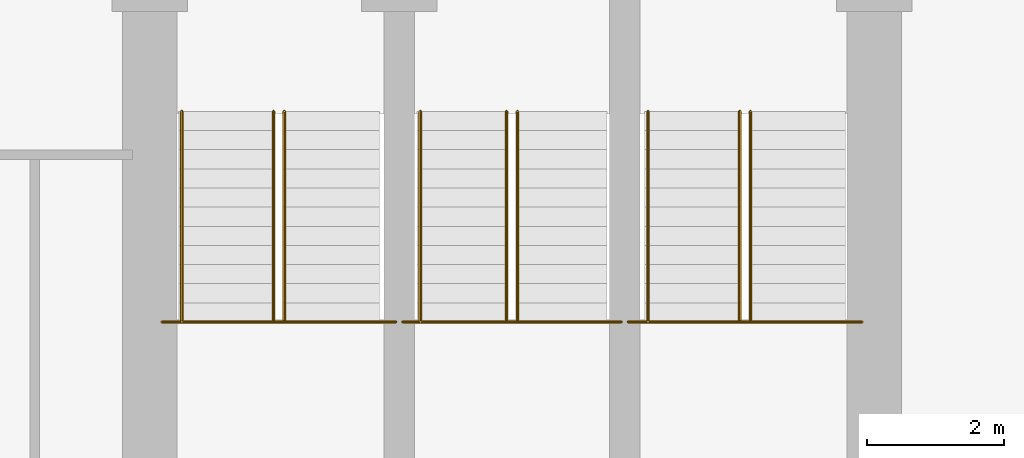
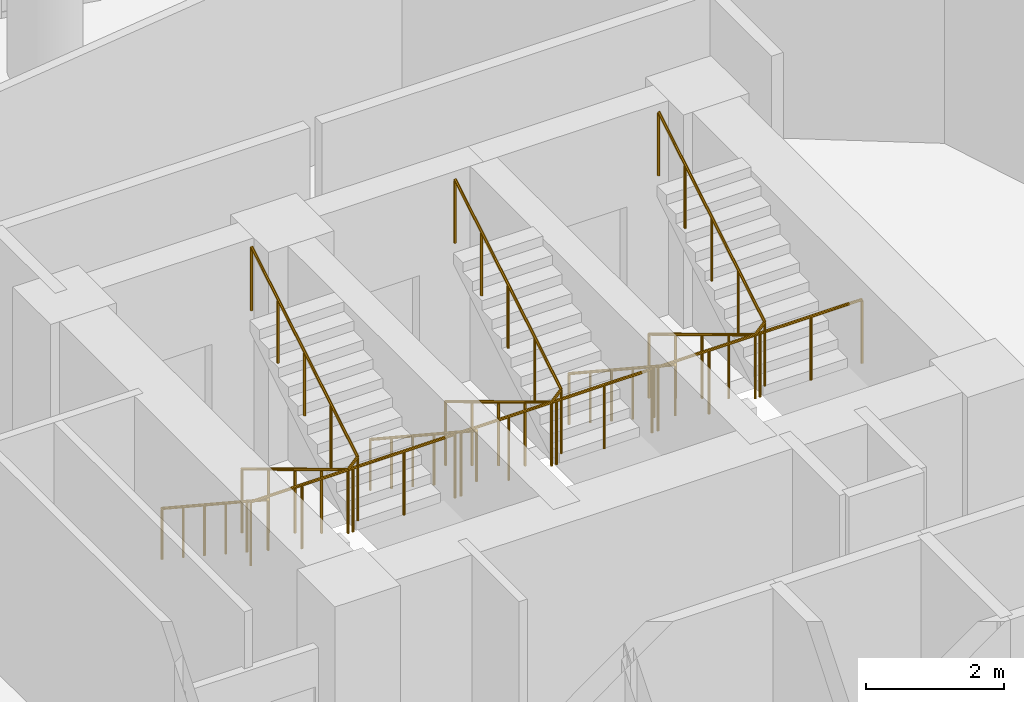
# One storey, part 24 of 24: 9 railings.
"""IFC4 building model written with IfcOpenShell, lengths in metres."""

import ifcopenshell
import ifcopenshell.guid

model = None  # the IFC model being written
_history = None  # IfcOwnerHistory: only IFC2X3 demands one
_inside = {}  # id of a spatial element -> (the spatial element, [elements in it])
_under = {}  # id of a project, library or spatial element -> (it, [spatial elements below it])
_declared = {}  # id of a project -> (the project, [libraries it declares])
_typed = {}  # id of a type object -> (the type object, [elements of that type])
_made_of = {}  # id of a material, layer set ... -> (it, [elements and type objects made of it])


def new_model(schema):
    """Start an empty IFC model of exactly this schema.

    Asked for "IFC4X3", IfcOpenShell would pick the latest addendum, in which some entities
    have other attributes; the version numbers below select the first issue.
    IFC2X3 requires an IfcOwnerHistory on every rooted entity: one is made here for all.
    """
    global model, _history
    if schema == "IFC4X3":
        model = ifcopenshell.file(schema_version=(4, 3, 0, 0))
    else:
        model = ifcopenshell.file(schema=schema)
    _inside.clear()
    _under.clear()
    _declared.clear()
    _typed.clear()
    _made_of.clear()
    _history = None
    if model.schema == "IFC2X3":
        org = make("IfcOrganization", Name="unknown")
        user = make(
            "IfcPersonAndOrganization",
            ThePerson=make("IfcPerson", FamilyName="unknown"),
            TheOrganization=org,
        )
        app = make(
            "IfcApplication",
            ApplicationDeveloper=org,
            Version="unknown",
            ApplicationFullName="unknown",
            ApplicationIdentifier="unknown",
        )
        _history = make(
            "IfcOwnerHistory",
            OwningUser=user,
            OwningApplication=app,
            ChangeAction="ADDED",
            CreationDate=0,
        )
    return model


def make(cls, **values):
    """One entity of the class cls with the attributes given. An attribute that is None is left unset."""
    return model.create_entity(
        cls, **{name: value for name, value in values.items() if value is not None}
    )


def rooted(cls, **values):
    """An entity with a GlobalId (a new one), such as an element, a storey or a relation."""
    return make(cls, GlobalId=ifcopenshell.guid.new(), OwnerHistory=_history, **values)


def si_unit(unit_type, name, prefix=None):
    """IfcSIUnit, for example si_unit("LENGTHUNIT", "METRE", prefix="MILLI")."""
    return make("IfcSIUnit", UnitType=unit_type, Prefix=prefix, Name=name)


def assignment(units):
    """IfcUnitAssignment: the units of a project."""
    return None if units is None else make("IfcUnitAssignment", Units=units)


def point(xyz):
    """IfcCartesianPoint."""
    return None if xyz is None else make("IfcCartesianPoint", Coordinates=xyz)


def direction(xyz):
    """IfcDirection."""
    return None if xyz is None else make("IfcDirection", DirectionRatios=xyz)


def frame(location, z_axis=None, x_axis=None):
    """IfcAxis2Placement3D, a coordinate frame: its origin and axes. An axis left out is left unset."""
    return make(
        "IfcAxis2Placement3D",
        Location=point(location),
        Axis=direction(z_axis),
        RefDirection=direction(x_axis),
    )


def origin():
    """The frame at (0, 0, 0) with its axes left unset."""
    return frame((0.0, 0.0, 0.0))


def place(relative_to, where):
    """IfcLocalPlacement: puts the frame where relative to a parent placement (None: the world)."""
    return make(
        "IfcLocalPlacement", PlacementRelTo=relative_to, RelativePlacement=where
    )


def context(
    kind, dimensions, precision=None, world=None, true_north=None, identifier=None
):
    """IfcGeometricRepresentationContext, for example the 3D "Model" context."""
    return make(
        "IfcGeometricRepresentationContext",
        ContextIdentifier=identifier,
        ContextType=kind,
        CoordinateSpaceDimension=dimensions,
        Precision=precision,
        WorldCoordinateSystem=world,
        TrueNorth=true_north,
    )


def subcontext(parent, identifier, kind, view, scale=None):
    """IfcGeometricRepresentationSubContext, for example "Body" below "Model"."""
    return make(
        "IfcGeometricRepresentationSubContext",
        ContextIdentifier=identifier,
        ContextType=kind,
        ParentContext=parent,
        TargetScale=scale,
        TargetView=view,
    )


def project(units=None, contexts=None):
    """IfcProject with its units and contexts."""
    return rooted(
        "IfcProject",
        Name="project",
        RepresentationContexts=contexts,
        UnitsInContext=assignment(units),
    )


def spatial(cls, under=None, at=None, **own):
    """A site, building, storey or space (cls), placed at a placement, below another one or the project."""
    s = rooted(cls, ObjectPlacement=at, **own)
    if under is not None:
        _under.setdefault(under.id(), (under, []))[1].append(s)
    return s


def polyline(points):
    """IfcPolyline through the points."""
    return make("IfcPolyline", Points=[point(p) for p in points])


def outline(outer, holes=None, kind="AREA"):
    """IfcArbitraryClosedProfileDef: a profile drawn as a closed curve; with holes, ...WithVoids."""
    if holes is None:
        return make("IfcArbitraryClosedProfileDef", ProfileType=kind, OuterCurve=outer)
    return make(
        "IfcArbitraryProfileDefWithVoids",
        ProfileType=kind,
        OuterCurve=outer,
        InnerCurves=holes,
    )


def extrude(swept, where, along, depth):
    """IfcExtrudedAreaSolid: the profile swept, set in the frame where, extruded along a direction by depth."""
    return make(
        "IfcExtrudedAreaSolid",
        SweptArea=swept,
        Position=where,
        ExtrudedDirection=direction(along),
        Depth=depth,
    )


def shape(context_of_items, identifier, shape_type, items):
    """IfcShapeRepresentation: the items that make up one representation, for example the "Body"."""
    return make(
        "IfcShapeRepresentation",
        ContextOfItems=context_of_items,
        RepresentationIdentifier=identifier,
        RepresentationType=shape_type,
        Items=items,
    )


def material(Name=None, Category=None):
    """IfcMaterial."""
    return make("IfcMaterial", Name=Name, Category=Category)


def made_of(thing, what):
    """Note that an element or type object is made of a material, layer set ...; save() writes the relation."""
    if what is not None:
        _made_of.setdefault(what.id(), (what, []))[1].append(thing)
    return thing


def type_object(cls, material=None, **own):
    """A type object (cls), such as IfcWallType, which elements share."""
    return made_of(rooted(cls, **own), material)


def element(
    cls,
    number,
    at=None,
    inside=None,
    cuts=None,
    type_object=None,
    material=None,
    context=None,
    identifier="Body",
    shape_type=None,
    held_by="IfcProductDefinitionShape",
    body=None,
    shapes=None,
    **own,
):
    """One element of the class cls, such as IfcWall. Its Tag is "e" and its number.

    at: its placement. inside: the storey or other place that contains it. cuts: it is an
    opening in that element (IfcRelVoidsElement). A single representation is given by context,
    identifier, shape_type and body (its items); several are given by shapes. held_by: the class
    of the entity that holds the representations. save() writes the other relations.
    """
    e = rooted(cls, Tag="e%d" % number, ObjectPlacement=at, **own)
    if body is not None:
        shapes = [shape(context, identifier, shape_type, body)]
    if shapes is not None:
        e.Representation = make(held_by, Representations=shapes)
    if inside is not None:
        _inside.setdefault(inside.id(), (inside, []))[1].append(e)
    if cuts is not None:
        rooted(
            "IfcRelVoidsElement", RelatingBuildingElement=cuts, RelatedOpeningElement=e
        )
    if type_object is not None:
        _typed.setdefault(type_object.id(), (type_object, []))[1].append(e)
    return made_of(e, material)


def aggregate(whole, parts):
    """IfcRelAggregates: a whole, such as a stair, and the parts it consists of."""
    return rooted("IfcRelAggregates", RelatingObject=whole, RelatedObjects=parts)


def save(model, path):
    """Write the relations noted so far, then the file.

    IfcRelAggregates (storeys below a building ...), IfcRelContainedInSpatialStructure (elements
    in a storey), IfcRelDefinesByType, IfcRelAssociatesMaterial and IfcRelDeclares: one each for
    every whole, place, type object, material and project.
    """
    for whole, parts in _under.values():
        aggregate(whole, parts)
    for where, things in _inside.values():
        rooted(
            "IfcRelContainedInSpatialStructure",
            RelatedElements=things,
            RelatingStructure=where,
        )
    for kind, things in _typed.values():
        rooted("IfcRelDefinesByType", RelatedObjects=things, RelatingType=kind)
    for what, things in _made_of.values():
        rooted("IfcRelAssociatesMaterial", RelatedObjects=things, RelatingMaterial=what)
    for by, libraries in _declared.values():
        rooted("IfcRelDeclares", RelatingContext=by, RelatedDefinitions=libraries)
    model.write(path)


model = new_model("IFC4")

# Units and contexts
model_context = context("Model", 3, precision=1e-05, world=origin(), true_north=direction((0.0, 1.0)))
body_context = subcontext(model_context, "Body", "Model", "MODEL_VIEW")
ifc_project = project(units=[si_unit("LENGTHUNIT", "METRE"), si_unit("AREAUNIT", "SQUARE_METRE"), si_unit("VOLUMEUNIT", "CUBIC_METRE"), si_unit("PLANEANGLEUNIT", "RADIAN"), si_unit("MASSUNIT", "GRAM", prefix="KILO")], contexts=[model_context])

# Site, building, storey
site_placement = place(None, origin())
site = spatial("IfcSite", under=ifc_project, at=site_placement, CompositionType="ELEMENT")
building_placement = place(site_placement, origin())
building = spatial("IfcBuilding", under=site, at=building_placement, Name="Nuhasar Tower", CompositionType="ELEMENT")
storey_placement = place(building_placement, frame((0.0, 0.0, 41.25)))
storey = spatial("IfcBuildingStorey", under=building, at=storey_placement, Name="L09", CompositionType="ELEMENT", Elevation=41.25)

# Railings
ifc_material_1 = material(Name="Steel S355", Category="steel")
railing_type_1 = type_object("IfcRailingType", Name="RLG-STAIR-GUARD-1150", PredefinedType="GUARDRAIL", material=ifc_material_1)
railing_1_placement = place(storey_placement, frame((33.8798828125, 32.205078125, 2.02490234375)))
element("IfcRailing", 1, at=railing_1_placement, inside=storey, type_object=railing_type_1, Name="L09 Stair ST-01 Guardrail LND", PredefinedType="GUARDRAIL", context=body_context, shape_type="SweptSolid", body=[
    extrude(outline(polyline([(0.024169921875, 0.0), (0.01708984375, 0.01708984375), (0.0, 0.024169921875), (-0.01708984375, 0.01708984375), (-0.024169921875, 0.0), (-0.01708984375, -0.01708984375), (0.0, -0.024169921875), (0.01708984375, -0.01708984375), (0.024169921875, 0.0)])), frame((0.0, 0.0, 1.1259765625), z_axis=(1.0, 0.0, 0.0), x_axis=(0.0, 1.0, 0.0)), (0.0, 0.0, 1.0), 3.420166015625),
    extrude(outline(polyline([(0.02099609375, 0.0), (0.014892578125, 0.014892578125), (0.0, 0.02099609375), (-0.014892578125, 0.014892578125), (-0.02099609375, 0.0), (-0.014892578125, -0.014892578125), (0.0, -0.02099609375), (0.014892578125, -0.014892578125), (0.02099609375, 0.0)])), origin(), (0.0, 0.0, 1.0), 1.101806640625),
    extrude(outline(polyline([(0.02099609375, 0.0), (0.014892578125, 0.014892578125), (0.0, 0.02099609375), (-0.014892578125, 0.014892578125), (-0.02099609375, 0.0), (-0.014892578125, -0.014892578125), (0.0, -0.02099609375), (0.014892578125, -0.014892578125), (0.02099609375, 0.0)])), frame((0.85498046875, 0.0, 0.0)), (0.0, 0.0, 1.0), 1.101806640625),
    extrude(outline(polyline([(0.02099609375, 0.0), (0.014892578125, 0.014892578125), (0.0, 0.02099609375), (-0.014892578125, 0.014892578125), (-0.02099609375, 0.0), (-0.014892578125, -0.014892578125), (0.0, -0.02099609375), (0.014892578125, -0.014892578125), (0.02099609375, 0.0)])), frame((1.7099609375, 0.0, 0.0)), (0.0, 0.0, 1.0), 1.101806640625),
    extrude(outline(polyline([(0.02099609375, 0.0), (0.014892578125, 0.014892578125), (0.0, 0.02099609375), (-0.014892578125, 0.014892578125), (-0.02099609375, 0.0), (-0.014892578125, -0.014892578125), (0.0, -0.02099609375), (0.014892578125, -0.014892578125), (0.02099609375, 0.0)])), frame((2.565185546875, 0.0, 0.0)), (0.0, 0.0, 1.0), 1.101806640625),
    extrude(outline(polyline([(0.02099609375, 0.0), (0.014892578125, 0.014892578125), (0.0, 0.02099609375), (-0.014892578125, 0.014892578125), (-0.02099609375, 0.0), (-0.014892578125, -0.014892578125), (0.0, -0.02099609375), (0.014892578125, -0.014892578125), (0.02099609375, 0.0)])), frame((3.420166015625, 0.0, 0.0)), (0.0, 0.0, 1.0), 1.101806640625),
])
railing_2_placement = place(storey_placement, frame((35.510009765625, 35.284912109375, 0.1689453125)))
element("IfcRailing", 2, at=railing_2_placement, inside=storey, type_object=railing_type_1, Name="L09 Stair ST-01 Guardrail SLT", PredefinedType="GUARDRAIL", context=body_context, shape_type="SweptSolid", body=[
    extrude(outline(polyline([(0.024169921875, 0.0), (0.01708984375, 0.01708984375), (0.0, 0.024169921875), (-0.01708984375, 0.01708984375), (-0.024169921875, 0.0), (-0.01708984375, -0.01708984375), (0.0, -0.024169921875), (0.01708984375, -0.01708984375), (0.024169921875, 0.0)])), frame((0.0, 0.0, 1.1259765625), z_axis=(0.0, -0.856502863198, 0.516142272377), x_axis=(1.0, 0.0, 0.0)), (0.0, 0.0, 1.0), 3.595703125),
    extrude(outline(polyline([(0.024169921875, 0.0), (0.01708984375, 0.01708984375), (0.0, 0.024169921875), (-0.01708984375, 0.01708984375), (-0.024169921875, 0.0), (-0.01708984375, -0.01708984375), (0.0, -0.024169921875), (0.01708984375, -0.01708984375), (0.024169921875, 0.0)])), frame((0.0, -3.079833984375, 2.98193359375), z_axis=(0.686900628141, 0.0, 0.726751351605), x_axis=(0.0, 1.0, 0.0)), (0.0, 0.0, 1.0), 0.23291015625),
    extrude(outline(polyline([(0.024169921875, 0.0), (0.01708984375, 0.01708984375), (0.0, 0.024169921875), (-0.01708984375, 0.01708984375), (-0.024169921875, 0.0), (-0.01708984375, -0.01708984375), (0.0, -0.024169921875), (0.01708984375, -0.01708984375), (0.024169921875, 0.0)])), frame((0.159912109375, -3.079833984375, 3.15087890625), z_axis=(0.0, 0.856502863198, 0.516142272377), x_axis=(-1.0, 0.0, 0.0)), (0.0, 0.0, 1.0), 3.595703125),
    extrude(outline(polyline([(0.02099609375, 0.0), (0.014892578125, 0.014892578125), (0.0, 0.02099609375), (-0.014892578125, 0.014892578125), (-0.02099609375, 0.0), (-0.014892578125, -0.014892578125), (0.0, -0.02099609375), (0.014892578125, -0.014892578125), (0.02099609375, 0.0)])), origin(), (0.0, 0.0, 1.0), 1.101806640625),
    extrude(outline(polyline([(0.02099609375, 0.0), (0.014892578125, 0.014892578125), (0.0, 0.02099609375), (-0.014892578125, 0.014892578125), (-0.02099609375, 0.0), (-0.014892578125, -0.014892578125), (0.0, -0.02099609375), (0.014892578125, -0.014892578125), (0.02099609375, 0.0)])), frame((0.0, -0.77001953125, 0.4638671875)), (0.0, 0.0, 1.0), 1.101806640625),
    extrude(outline(polyline([(0.02099609375, 0.0), (0.014892578125, 0.014892578125), (0.0, 0.02099609375), (-0.014892578125, 0.014892578125), (-0.02099609375, 0.0), (-0.014892578125, -0.014892578125), (0.0, -0.02099609375), (0.014892578125, -0.014892578125), (0.02099609375, 0.0)])), frame((0.0, -1.5400390625, 0.927978515625)), (0.0, 0.0, 1.0), 1.101806640625),
    extrude(outline(polyline([(0.02099609375, 0.0), (0.014892578125, 0.014892578125), (0.0, 0.02099609375), (-0.014892578125, 0.014892578125), (-0.02099609375, 0.0), (-0.014892578125, -0.014892578125), (0.0, -0.02099609375), (0.014892578125, -0.014892578125), (0.02099609375, 0.0)])), frame((0.0, -2.309814453125, 1.39208984375)), (0.0, 0.0, 1.0), 1.101806640625),
    extrude(outline(polyline([(0.02099609375, 0.0), (0.014892578125, 0.014892578125), (0.0, 0.02099609375), (-0.014892578125, 0.014892578125), (-0.02099609375, 0.0), (-0.014892578125, -0.014892578125), (0.0, -0.02099609375), (0.014892578125, -0.014892578125), (0.02099609375, 0.0)])), frame((0.0, -3.079833984375, 1.85595703125)), (0.0, 0.0, 1.0), 1.101806640625),
    extrude(outline(polyline([(0.02099609375, 0.0), (0.014892578125, 0.014892578125), (0.0, 0.02099609375), (-0.014892578125, 0.014892578125), (-0.02099609375, 0.0), (-0.014892578125, -0.014892578125), (0.0, -0.02099609375), (0.014892578125, -0.014892578125), (0.02099609375, 0.0)])), frame((0.159912109375, -3.079833984375, 2.025146484375)), (0.0, 0.0, 1.0), 1.101806640625),
    extrude(outline(polyline([(0.02099609375, 0.0), (0.014892578125, 0.014892578125), (0.0, 0.02099609375), (-0.014892578125, 0.014892578125), (-0.02099609375, 0.0), (-0.014892578125, -0.014892578125), (0.0, -0.02099609375), (0.014892578125, -0.014892578125), (0.02099609375, 0.0)])), frame((0.159912109375, -2.309814453125, 2.4892578125)), (0.0, 0.0, 1.0), 1.101806640625),
    extrude(outline(polyline([(0.02099609375, 0.0), (0.014892578125, 0.014892578125), (0.0, 0.02099609375), (-0.014892578125, 0.014892578125), (-0.02099609375, 0.0), (-0.014892578125, -0.014892578125), (0.0, -0.02099609375), (0.014892578125, -0.014892578125), (0.02099609375, 0.0)])), frame((0.159912109375, -1.5400390625, 2.953125)), (0.0, 0.0, 1.0), 1.101806640625),
    extrude(outline(polyline([(0.02099609375, 0.0), (0.014892578125, 0.014892578125), (0.0, 0.02099609375), (-0.014892578125, 0.014892578125), (-0.02099609375, 0.0), (-0.014892578125, -0.014892578125), (0.0, -0.02099609375), (0.014892578125, -0.014892578125), (0.02099609375, 0.0)])), frame((0.159912109375, -0.77001953125, 3.4169921875)), (0.0, 0.0, 1.0), 1.101806640625),
    extrude(outline(polyline([(0.02099609375, 0.0), (0.014892578125, 0.014892578125), (0.0, 0.02099609375), (-0.014892578125, 0.014892578125), (-0.02099609375, 0.0), (-0.014892578125, -0.014892578125), (0.0, -0.02099609375), (0.014892578125, -0.014892578125), (0.02099609375, 0.0)])), frame((0.159912109375, 0.0, 3.881103515625)), (0.0, 0.0, 1.0), 1.101806640625),
])
railing_3_placement = place(storey_placement, frame((37.39990234375, 32.205078125, 2.02490234375)))
element("IfcRailing", 3, at=railing_3_placement, inside=storey, type_object=railing_type_1, Name="L09 Stair ST-03 Guardrail LND", PredefinedType="GUARDRAIL", context=body_context, shape_type="SweptSolid", body=[
    extrude(outline(polyline([(0.024169921875, 0.0), (0.01708984375, 0.01708984375), (0.0, 0.024169921875), (-0.01708984375, 0.01708984375), (-0.024169921875, 0.0), (-0.01708984375, -0.01708984375), (0.0, -0.024169921875), (0.01708984375, -0.01708984375), (0.024169921875, 0.0)])), frame((0.0, 0.0, 1.1259765625), z_axis=(1.0, 0.0, 0.0), x_axis=(0.0, 1.0, 0.0)), (0.0, 0.0, 1.0), 3.2001953125),
    extrude(outline(polyline([(0.02099609375, 0.0), (0.014892578125, 0.014892578125), (0.0, 0.02099609375), (-0.014892578125, 0.014892578125), (-0.02099609375, 0.0), (-0.014892578125, -0.014892578125), (0.0, -0.02099609375), (0.014892578125, -0.014892578125), (0.02099609375, 0.0)])), origin(), (0.0, 0.0, 1.0), 1.101806640625),
    extrude(outline(polyline([(0.02099609375, 0.0), (0.014892578125, 0.014892578125), (0.0, 0.02099609375), (-0.014892578125, 0.014892578125), (-0.02099609375, 0.0), (-0.014892578125, -0.014892578125), (0.0, -0.02099609375), (0.014892578125, -0.014892578125), (0.02099609375, 0.0)])), frame((0.800048828125, 0.0, 0.0)), (0.0, 0.0, 1.0), 1.101806640625),
    extrude(outline(polyline([(0.02099609375, 0.0), (0.014892578125, 0.014892578125), (0.0, 0.02099609375), (-0.014892578125, 0.014892578125), (-0.02099609375, 0.0), (-0.014892578125, -0.014892578125), (0.0, -0.02099609375), (0.014892578125, -0.014892578125), (0.02099609375, 0.0)])), frame((1.60009765625, 0.0, 0.0)), (0.0, 0.0, 1.0), 1.101806640625),
    extrude(outline(polyline([(0.02099609375, 0.0), (0.014892578125, 0.014892578125), (0.0, 0.02099609375), (-0.014892578125, 0.014892578125), (-0.02099609375, 0.0), (-0.014892578125, -0.014892578125), (0.0, -0.02099609375), (0.014892578125, -0.014892578125), (0.02099609375, 0.0)])), frame((2.400146484375, 0.0, 0.0)), (0.0, 0.0, 1.0), 1.101806640625),
    extrude(outline(polyline([(0.02099609375, 0.0), (0.014892578125, 0.014892578125), (0.0, 0.02099609375), (-0.014892578125, 0.014892578125), (-0.02099609375, 0.0), (-0.014892578125, -0.014892578125), (0.0, -0.02099609375), (0.014892578125, -0.014892578125), (0.02099609375, 0.0)])), frame((3.2001953125, 0.0, 0.0)), (0.0, 0.0, 1.0), 1.101806640625),
])
railing_4_placement = place(storey_placement, frame((38.919921875, 35.284912109375, 0.1689453125)))
element("IfcRailing", 4, at=railing_4_placement, inside=storey, type_object=railing_type_1, Name="L09 Stair ST-03 Guardrail SLT", PredefinedType="GUARDRAIL", context=body_context, shape_type="SweptSolid", body=[
    extrude(outline(polyline([(0.024169921875, 0.0), (0.01708984375, 0.01708984375), (0.0, 0.024169921875), (-0.01708984375, 0.01708984375), (-0.024169921875, 0.0), (-0.01708984375, -0.01708984375), (0.0, -0.024169921875), (0.01708984375, -0.01708984375), (0.024169921875, 0.0)])), frame((0.0, 0.0, 1.1259765625), z_axis=(0.0, -0.856502863198, 0.516142272377), x_axis=(1.0, 0.0, 0.0)), (0.0, 0.0, 1.0), 3.595703125),
    extrude(outline(polyline([(0.024169921875, 0.0), (0.01708984375, 0.01708984375), (0.0, 0.024169921875), (-0.01708984375, 0.01708984375), (-0.024169921875, 0.0), (-0.01708984375, -0.01708984375), (0.0, -0.024169921875), (0.01708984375, -0.01708984375), (0.024169921875, 0.0)])), frame((0.0, -3.079833984375, 2.98193359375), z_axis=(0.687453921059, 0.0, 0.726227998924), x_axis=(0.0, 1.0, 0.0)), (0.0, 0.0, 1.0), 0.23291015625),
    extrude(outline(polyline([(0.024169921875, 0.0), (0.01708984375, 0.01708984375), (0.0, 0.024169921875), (-0.01708984375, 0.01708984375), (-0.024169921875, 0.0), (-0.01708984375, -0.01708984375), (0.0, -0.024169921875), (0.01708984375, -0.01708984375), (0.024169921875, 0.0)])), frame((0.16015625, -3.079833984375, 3.15087890625), z_axis=(0.0, 0.856502863198, 0.516142272377), x_axis=(-1.0, 0.0, 0.0)), (0.0, 0.0, 1.0), 3.595703125),
    extrude(outline(polyline([(0.02099609375, 0.0), (0.014892578125, 0.014892578125), (0.0, 0.02099609375), (-0.014892578125, 0.014892578125), (-0.02099609375, 0.0), (-0.014892578125, -0.014892578125), (0.0, -0.02099609375), (0.014892578125, -0.014892578125), (0.02099609375, 0.0)])), origin(), (0.0, 0.0, 1.0), 1.101806640625),
    extrude(outline(polyline([(0.02099609375, 0.0), (0.014892578125, 0.014892578125), (0.0, 0.02099609375), (-0.014892578125, 0.014892578125), (-0.02099609375, 0.0), (-0.014892578125, -0.014892578125), (0.0, -0.02099609375), (0.014892578125, -0.014892578125), (0.02099609375, 0.0)])), frame((0.0, -0.77001953125, 0.4638671875)), (0.0, 0.0, 1.0), 1.101806640625),
    extrude(outline(polyline([(0.02099609375, 0.0), (0.014892578125, 0.014892578125), (0.0, 0.02099609375), (-0.014892578125, 0.014892578125), (-0.02099609375, 0.0), (-0.014892578125, -0.014892578125), (0.0, -0.02099609375), (0.014892578125, -0.014892578125), (0.02099609375, 0.0)])), frame((0.0, -1.5400390625, 0.927978515625)), (0.0, 0.0, 1.0), 1.101806640625),
    extrude(outline(polyline([(0.02099609375, 0.0), (0.014892578125, 0.014892578125), (0.0, 0.02099609375), (-0.014892578125, 0.014892578125), (-0.02099609375, 0.0), (-0.014892578125, -0.014892578125), (0.0, -0.02099609375), (0.014892578125, -0.014892578125), (0.02099609375, 0.0)])), frame((0.0, -2.309814453125, 1.39208984375)), (0.0, 0.0, 1.0), 1.101806640625),
    extrude(outline(polyline([(0.02099609375, 0.0), (0.014892578125, 0.014892578125), (0.0, 0.02099609375), (-0.014892578125, 0.014892578125), (-0.02099609375, 0.0), (-0.014892578125, -0.014892578125), (0.0, -0.02099609375), (0.014892578125, -0.014892578125), (0.02099609375, 0.0)])), frame((0.0, -3.079833984375, 1.85595703125)), (0.0, 0.0, 1.0), 1.101806640625),
    extrude(outline(polyline([(0.02099609375, 0.0), (0.014892578125, 0.014892578125), (0.0, 0.02099609375), (-0.014892578125, 0.014892578125), (-0.02099609375, 0.0), (-0.014892578125, -0.014892578125), (0.0, -0.02099609375), (0.014892578125, -0.014892578125), (0.02099609375, 0.0)])), frame((0.16015625, -3.079833984375, 2.025146484375)), (0.0, 0.0, 1.0), 1.101806640625),
    extrude(outline(polyline([(0.02099609375, 0.0), (0.014892578125, 0.014892578125), (0.0, 0.02099609375), (-0.014892578125, 0.014892578125), (-0.02099609375, 0.0), (-0.014892578125, -0.014892578125), (0.0, -0.02099609375), (0.014892578125, -0.014892578125), (0.02099609375, 0.0)])), frame((0.16015625, -2.309814453125, 2.4892578125)), (0.0, 0.0, 1.0), 1.101806640625),
    extrude(outline(polyline([(0.02099609375, 0.0), (0.014892578125, 0.014892578125), (0.0, 0.02099609375), (-0.014892578125, 0.014892578125), (-0.02099609375, 0.0), (-0.014892578125, -0.014892578125), (0.0, -0.02099609375), (0.014892578125, -0.014892578125), (0.02099609375, 0.0)])), frame((0.16015625, -1.5400390625, 2.953125)), (0.0, 0.0, 1.0), 1.101806640625),
    extrude(outline(polyline([(0.02099609375, 0.0), (0.014892578125, 0.014892578125), (0.0, 0.02099609375), (-0.014892578125, 0.014892578125), (-0.02099609375, 0.0), (-0.014892578125, -0.014892578125), (0.0, -0.02099609375), (0.014892578125, -0.014892578125), (0.02099609375, 0.0)])), frame((0.16015625, -0.77001953125, 3.4169921875)), (0.0, 0.0, 1.0), 1.101806640625),
    extrude(outline(polyline([(0.02099609375, 0.0), (0.014892578125, 0.014892578125), (0.0, 0.02099609375), (-0.014892578125, 0.014892578125), (-0.02099609375, 0.0), (-0.014892578125, -0.014892578125), (0.0, -0.02099609375), (0.014892578125, -0.014892578125), (0.02099609375, 0.0)])), frame((0.16015625, 0.0, 3.881103515625)), (0.0, 0.0, 1.0), 1.101806640625),
])
railing_5_placement = place(storey_placement, frame((40.699951171875, 32.205078125, 2.02490234375)))
element("IfcRailing", 5, at=railing_5_placement, inside=storey, type_object=railing_type_1, Name="L09 Stair ST-02 Guardrail LND", PredefinedType="GUARDRAIL", context=body_context, shape_type="SweptSolid", body=[
    extrude(outline(polyline([(0.024169921875, 0.0), (0.01708984375, 0.01708984375), (0.0, 0.024169921875), (-0.01708984375, 0.01708984375), (-0.024169921875, 0.0), (-0.01708984375, -0.01708984375), (0.0, -0.024169921875), (0.01708984375, -0.01708984375), (0.024169921875, 0.0)])), frame((0.0, 0.0, 1.1259765625), z_axis=(1.0, 0.0, 0.0), x_axis=(0.0, 1.0, 0.0)), (0.0, 0.0, 1.0), 3.420166015625),
    extrude(outline(polyline([(0.02099609375, 0.0), (0.014892578125, 0.014892578125), (0.0, 0.02099609375), (-0.014892578125, 0.014892578125), (-0.02099609375, 0.0), (-0.014892578125, -0.014892578125), (0.0, -0.02099609375), (0.014892578125, -0.014892578125), (0.02099609375, 0.0)])), origin(), (0.0, 0.0, 1.0), 1.101806640625),
    extrude(outline(polyline([(0.02099609375, 0.0), (0.014892578125, 0.014892578125), (0.0, 0.02099609375), (-0.014892578125, 0.014892578125), (-0.02099609375, 0.0), (-0.014892578125, -0.014892578125), (0.0, -0.02099609375), (0.014892578125, -0.014892578125), (0.02099609375, 0.0)])), frame((0.85498046875, 0.0, 0.0)), (0.0, 0.0, 1.0), 1.101806640625),
    extrude(outline(polyline([(0.02099609375, 0.0), (0.014892578125, 0.014892578125), (0.0, 0.02099609375), (-0.014892578125, 0.014892578125), (-0.02099609375, 0.0), (-0.014892578125, -0.014892578125), (0.0, -0.02099609375), (0.014892578125, -0.014892578125), (0.02099609375, 0.0)])), frame((1.7099609375, 0.0, 0.0)), (0.0, 0.0, 1.0), 1.101806640625),
    extrude(outline(polyline([(0.02099609375, 0.0), (0.014892578125, 0.014892578125), (0.0, 0.02099609375), (-0.014892578125, 0.014892578125), (-0.02099609375, 0.0), (-0.014892578125, -0.014892578125), (0.0, -0.02099609375), (0.014892578125, -0.014892578125), (0.02099609375, 0.0)])), frame((2.565185546875, 0.0, 0.0)), (0.0, 0.0, 1.0), 1.101806640625),
    extrude(outline(polyline([(0.02099609375, 0.0), (0.014892578125, 0.014892578125), (0.0, 0.02099609375), (-0.014892578125, 0.014892578125), (-0.02099609375, 0.0), (-0.014892578125, -0.014892578125), (0.0, -0.02099609375), (0.014892578125, -0.014892578125), (0.02099609375, 0.0)])), frame((3.420166015625, 0.0, 0.0)), (0.0, 0.0, 1.0), 1.101806640625),
])
railing_6_placement = place(storey_placement, frame((42.330078125, 35.284912109375, 0.1689453125)))
element("IfcRailing", 6, at=railing_6_placement, inside=storey, type_object=railing_type_1, Name="L09 Stair ST-02 Guardrail SLT", PredefinedType="GUARDRAIL", context=body_context, shape_type="SweptSolid", body=[
    extrude(outline(polyline([(0.024169921875, 0.0), (0.01708984375, 0.01708984375), (0.0, 0.024169921875), (-0.01708984375, 0.01708984375), (-0.024169921875, 0.0), (-0.01708984375, -0.01708984375), (0.0, -0.024169921875), (0.01708984375, -0.01708984375), (0.024169921875, 0.0)])), frame((0.0, 0.0, 1.1259765625), z_axis=(0.0, -0.856502863198, 0.516142272377), x_axis=(1.0, 0.0, 0.0)), (0.0, 0.0, 1.0), 3.595703125),
    extrude(outline(polyline([(0.024169921875, 0.0), (0.01708984375, 0.01708984375), (0.0, 0.024169921875), (-0.01708984375, 0.01708984375), (-0.024169921875, 0.0), (-0.01708984375, -0.01708984375), (0.0, -0.024169921875), (0.01708984375, -0.01708984375), (0.024169921875, 0.0)])), frame((0.0, -3.079833984375, 2.98193359375), z_axis=(0.686900628141, 0.0, 0.726751351605), x_axis=(0.0, 1.0, 0.0)), (0.0, 0.0, 1.0), 0.23291015625),
    extrude(outline(polyline([(0.024169921875, 0.0), (0.01708984375, 0.01708984375), (0.0, 0.024169921875), (-0.01708984375, 0.01708984375), (-0.024169921875, 0.0), (-0.01708984375, -0.01708984375), (0.0, -0.024169921875), (0.01708984375, -0.01708984375), (0.024169921875, 0.0)])), frame((0.159912109375, -3.079833984375, 3.15087890625), z_axis=(0.0, 0.856502863198, 0.516142272377), x_axis=(-1.0, 0.0, 0.0)), (0.0, 0.0, 1.0), 3.595703125),
    extrude(outline(polyline([(0.02099609375, 0.0), (0.014892578125, 0.014892578125), (0.0, 0.02099609375), (-0.014892578125, 0.014892578125), (-0.02099609375, 0.0), (-0.014892578125, -0.014892578125), (0.0, -0.02099609375), (0.014892578125, -0.014892578125), (0.02099609375, 0.0)])), origin(), (0.0, 0.0, 1.0), 1.101806640625),
    extrude(outline(polyline([(0.02099609375, 0.0), (0.014892578125, 0.014892578125), (0.0, 0.02099609375), (-0.014892578125, 0.014892578125), (-0.02099609375, 0.0), (-0.014892578125, -0.014892578125), (0.0, -0.02099609375), (0.014892578125, -0.014892578125), (0.02099609375, 0.0)])), frame((0.0, -0.77001953125, 0.4638671875)), (0.0, 0.0, 1.0), 1.101806640625),
    extrude(outline(polyline([(0.02099609375, 0.0), (0.014892578125, 0.014892578125), (0.0, 0.02099609375), (-0.014892578125, 0.014892578125), (-0.02099609375, 0.0), (-0.014892578125, -0.014892578125), (0.0, -0.02099609375), (0.014892578125, -0.014892578125), (0.02099609375, 0.0)])), frame((0.0, -1.5400390625, 0.927978515625)), (0.0, 0.0, 1.0), 1.101806640625),
    extrude(outline(polyline([(0.02099609375, 0.0), (0.014892578125, 0.014892578125), (0.0, 0.02099609375), (-0.014892578125, 0.014892578125), (-0.02099609375, 0.0), (-0.014892578125, -0.014892578125), (0.0, -0.02099609375), (0.014892578125, -0.014892578125), (0.02099609375, 0.0)])), frame((0.0, -2.309814453125, 1.39208984375)), (0.0, 0.0, 1.0), 1.101806640625),
    extrude(outline(polyline([(0.02099609375, 0.0), (0.014892578125, 0.014892578125), (0.0, 0.02099609375), (-0.014892578125, 0.014892578125), (-0.02099609375, 0.0), (-0.014892578125, -0.014892578125), (0.0, -0.02099609375), (0.014892578125, -0.014892578125), (0.02099609375, 0.0)])), frame((0.0, -3.079833984375, 1.85595703125)), (0.0, 0.0, 1.0), 1.101806640625),
    extrude(outline(polyline([(0.02099609375, 0.0), (0.014892578125, 0.014892578125), (0.0, 0.02099609375), (-0.014892578125, 0.014892578125), (-0.02099609375, 0.0), (-0.014892578125, -0.014892578125), (0.0, -0.02099609375), (0.014892578125, -0.014892578125), (0.02099609375, 0.0)])), frame((0.159912109375, -3.079833984375, 2.025146484375)), (0.0, 0.0, 1.0), 1.101806640625),
    extrude(outline(polyline([(0.02099609375, 0.0), (0.014892578125, 0.014892578125), (0.0, 0.02099609375), (-0.014892578125, 0.014892578125), (-0.02099609375, 0.0), (-0.014892578125, -0.014892578125), (0.0, -0.02099609375), (0.014892578125, -0.014892578125), (0.02099609375, 0.0)])), frame((0.159912109375, -2.309814453125, 2.4892578125)), (0.0, 0.0, 1.0), 1.101806640625),
    extrude(outline(polyline([(0.02099609375, 0.0), (0.014892578125, 0.014892578125), (0.0, 0.02099609375), (-0.014892578125, 0.014892578125), (-0.02099609375, 0.0), (-0.014892578125, -0.014892578125), (0.0, -0.02099609375), (0.014892578125, -0.014892578125), (0.02099609375, 0.0)])), frame((0.159912109375, -1.5400390625, 2.953125)), (0.0, 0.0, 1.0), 1.101806640625),
    extrude(outline(polyline([(0.02099609375, 0.0), (0.014892578125, 0.014892578125), (0.0, 0.02099609375), (-0.014892578125, 0.014892578125), (-0.02099609375, 0.0), (-0.014892578125, -0.014892578125), (0.0, -0.02099609375), (0.014892578125, -0.014892578125), (0.02099609375, 0.0)])), frame((0.159912109375, -0.77001953125, 3.4169921875)), (0.0, 0.0, 1.0), 1.101806640625),
    extrude(outline(polyline([(0.02099609375, 0.0), (0.014892578125, 0.014892578125), (0.0, 0.02099609375), (-0.014892578125, 0.014892578125), (-0.02099609375, 0.0), (-0.014892578125, -0.014892578125), (0.0, -0.02099609375), (0.014892578125, -0.014892578125), (0.02099609375, 0.0)])), frame((0.159912109375, 0.0, 3.881103515625)), (0.0, 0.0, 1.0), 1.101806640625),
])
ifc_material_2 = material(Name="Stainless Steel 316L", Category="steel")
railing_type_2 = type_object("IfcRailingType", Name="RLG-STAIR-HAND-920", PredefinedType="HANDRAIL", material=ifc_material_2)
railing_7_placement = place(storey_placement, frame((34.169921875, 35.284912109375, 0.1689453125)))
element("IfcRailing", 7, at=railing_7_placement, inside=storey, type_object=railing_type_2, Name="L09 Stair ST-01 Handrail HND1", PredefinedType="HANDRAIL", context=body_context, shape_type="SweptSolid", body=[
    extrude(outline(polyline([(0.024169921875, 0.0), (0.01708984375, 0.01708984375), (0.0, 0.024169921875), (-0.01708984375, 0.01708984375), (-0.024169921875, 0.0), (-0.01708984375, -0.01708984375), (0.0, -0.024169921875), (0.01708984375, -0.01708984375), (0.024169921875, 0.0)])), frame((0.0, 0.0, 0.89599609375), z_axis=(0.0, -0.835549111106, 0.549415765091), x_axis=(1.0, 0.0, 0.0)), (0.0, 0.0, 1.0), 3.68603515625),
    extrude(outline(polyline([(0.02099609375, 0.0), (0.014892578125, 0.014892578125), (0.0, 0.02099609375), (-0.014892578125, 0.014892578125), (-0.02099609375, 0.0), (-0.014892578125, -0.014892578125), (0.0, -0.02099609375), (0.014892578125, -0.014892578125), (0.02099609375, 0.0)])), origin(), (0.0, 0.0, 1.0), 0.871826171875),
    extrude(outline(polyline([(0.02099609375, 0.0), (0.014892578125, 0.014892578125), (0.0, 0.02099609375), (-0.014892578125, 0.014892578125), (-0.02099609375, 0.0), (-0.014892578125, -0.014892578125), (0.0, -0.02099609375), (0.014892578125, -0.014892578125), (0.02099609375, 0.0)])), frame((0.0, -0.615966796875, 0.405029296875)), (0.0, 0.0, 1.0), 0.871826171875),
    extrude(outline(polyline([(0.02099609375, 0.0), (0.014892578125, 0.014892578125), (0.0, 0.02099609375), (-0.014892578125, 0.014892578125), (-0.02099609375, 0.0), (-0.014892578125, -0.014892578125), (0.0, -0.02099609375), (0.014892578125, -0.014892578125), (0.02099609375, 0.0)])), frame((0.0, -1.23193359375, 0.81005859375)), (0.0, 0.0, 1.0), 0.871826171875),
    extrude(outline(polyline([(0.02099609375, 0.0), (0.014892578125, 0.014892578125), (0.0, 0.02099609375), (-0.014892578125, 0.014892578125), (-0.02099609375, 0.0), (-0.014892578125, -0.014892578125), (0.0, -0.02099609375), (0.014892578125, -0.014892578125), (0.02099609375, 0.0)])), frame((0.0, -1.847900390625, 1.215087890625)), (0.0, 0.0, 1.0), 0.871826171875),
    extrude(outline(polyline([(0.02099609375, 0.0), (0.014892578125, 0.014892578125), (0.0, 0.02099609375), (-0.014892578125, 0.014892578125), (-0.02099609375, 0.0), (-0.014892578125, -0.014892578125), (0.0, -0.02099609375), (0.014892578125, -0.014892578125), (0.02099609375, 0.0)])), frame((0.0, -2.4638671875, 1.6201171875)), (0.0, 0.0, 1.0), 0.871826171875),
    extrude(outline(polyline([(0.02099609375, 0.0), (0.014892578125, 0.014892578125), (0.0, 0.02099609375), (-0.014892578125, 0.014892578125), (-0.02099609375, 0.0), (-0.014892578125, -0.014892578125), (0.0, -0.02099609375), (0.014892578125, -0.014892578125), (0.02099609375, 0.0)])), frame((0.0, -3.079833984375, 2.025146484375)), (0.0, 0.0, 1.0), 0.871826171875),
])
railing_8_placement = place(storey_placement, frame((37.659912109375, 35.284912109375, 0.1689453125)))
element("IfcRailing", 8, at=railing_8_placement, inside=storey, type_object=railing_type_2, Name="L09 Stair ST-03 Handrail HND1", PredefinedType="HANDRAIL", context=body_context, shape_type="SweptSolid", body=[
    extrude(outline(polyline([(0.024169921875, 0.0), (0.01708984375, 0.01708984375), (0.0, 0.024169921875), (-0.01708984375, 0.01708984375), (-0.024169921875, 0.0), (-0.01708984375, -0.01708984375), (0.0, -0.024169921875), (0.01708984375, -0.01708984375), (0.024169921875, 0.0)])), frame((0.0, 0.0, 0.89599609375), z_axis=(0.0, -0.835549111106, 0.549415765091), x_axis=(1.0, 0.0, 0.0)), (0.0, 0.0, 1.0), 3.68603515625),
    extrude(outline(polyline([(0.02099609375, 0.0), (0.014892578125, 0.014892578125), (0.0, 0.02099609375), (-0.014892578125, 0.014892578125), (-0.02099609375, 0.0), (-0.014892578125, -0.014892578125), (0.0, -0.02099609375), (0.014892578125, -0.014892578125), (0.02099609375, 0.0)])), origin(), (0.0, 0.0, 1.0), 0.871826171875),
    extrude(outline(polyline([(0.02099609375, 0.0), (0.014892578125, 0.014892578125), (0.0, 0.02099609375), (-0.014892578125, 0.014892578125), (-0.02099609375, 0.0), (-0.014892578125, -0.014892578125), (0.0, -0.02099609375), (0.014892578125, -0.014892578125), (0.02099609375, 0.0)])), frame((0.0, -0.615966796875, 0.405029296875)), (0.0, 0.0, 1.0), 0.871826171875),
    extrude(outline(polyline([(0.02099609375, 0.0), (0.014892578125, 0.014892578125), (0.0, 0.02099609375), (-0.014892578125, 0.014892578125), (-0.02099609375, 0.0), (-0.014892578125, -0.014892578125), (0.0, -0.02099609375), (0.014892578125, -0.014892578125), (0.02099609375, 0.0)])), frame((0.0, -1.23193359375, 0.81005859375)), (0.0, 0.0, 1.0), 0.871826171875),
    extrude(outline(polyline([(0.02099609375, 0.0), (0.014892578125, 0.014892578125), (0.0, 0.02099609375), (-0.014892578125, 0.014892578125), (-0.02099609375, 0.0), (-0.014892578125, -0.014892578125), (0.0, -0.02099609375), (0.014892578125, -0.014892578125), (0.02099609375, 0.0)])), frame((0.0, -1.847900390625, 1.215087890625)), (0.0, 0.0, 1.0), 0.871826171875),
    extrude(outline(polyline([(0.02099609375, 0.0), (0.014892578125, 0.014892578125), (0.0, 0.02099609375), (-0.014892578125, 0.014892578125), (-0.02099609375, 0.0), (-0.014892578125, -0.014892578125), (0.0, -0.02099609375), (0.014892578125, -0.014892578125), (0.02099609375, 0.0)])), frame((0.0, -2.4638671875, 1.6201171875)), (0.0, 0.0, 1.0), 0.871826171875),
    extrude(outline(polyline([(0.02099609375, 0.0), (0.014892578125, 0.014892578125), (0.0, 0.02099609375), (-0.014892578125, 0.014892578125), (-0.02099609375, 0.0), (-0.014892578125, -0.014892578125), (0.0, -0.02099609375), (0.014892578125, -0.014892578125), (0.02099609375, 0.0)])), frame((0.0, -3.079833984375, 2.025146484375)), (0.0, 0.0, 1.0), 0.871826171875),
])
railing_9_placement = place(storey_placement, frame((40.989990234375, 35.284912109375, 0.1689453125)))
element("IfcRailing", 9, at=railing_9_placement, inside=storey, type_object=railing_type_2, Name="L09 Stair ST-02 Handrail HND1", PredefinedType="HANDRAIL", context=body_context, shape_type="SweptSolid", body=[
    extrude(outline(polyline([(0.024169921875, 0.0), (0.01708984375, 0.01708984375), (0.0, 0.024169921875), (-0.01708984375, 0.01708984375), (-0.024169921875, 0.0), (-0.01708984375, -0.01708984375), (0.0, -0.024169921875), (0.01708984375, -0.01708984375), (0.024169921875, 0.0)])), frame((0.0, 0.0, 0.89599609375), z_axis=(0.0, -0.835549111106, 0.549415765091), x_axis=(1.0, 0.0, 0.0)), (0.0, 0.0, 1.0), 3.68603515625),
    extrude(outline(polyline([(0.02099609375, 0.0), (0.014892578125, 0.014892578125), (0.0, 0.02099609375), (-0.014892578125, 0.014892578125), (-0.02099609375, 0.0), (-0.014892578125, -0.014892578125), (0.0, -0.02099609375), (0.014892578125, -0.014892578125), (0.02099609375, 0.0)])), origin(), (0.0, 0.0, 1.0), 0.871826171875),
    extrude(outline(polyline([(0.02099609375, 0.0), (0.014892578125, 0.014892578125), (0.0, 0.02099609375), (-0.014892578125, 0.014892578125), (-0.02099609375, 0.0), (-0.014892578125, -0.014892578125), (0.0, -0.02099609375), (0.014892578125, -0.014892578125), (0.02099609375, 0.0)])), frame((0.0, -0.615966796875, 0.405029296875)), (0.0, 0.0, 1.0), 0.871826171875),
    extrude(outline(polyline([(0.02099609375, 0.0), (0.014892578125, 0.014892578125), (0.0, 0.02099609375), (-0.014892578125, 0.014892578125), (-0.02099609375, 0.0), (-0.014892578125, -0.014892578125), (0.0, -0.02099609375), (0.014892578125, -0.014892578125), (0.02099609375, 0.0)])), frame((0.0, -1.23193359375, 0.81005859375)), (0.0, 0.0, 1.0), 0.871826171875),
    extrude(outline(polyline([(0.02099609375, 0.0), (0.014892578125, 0.014892578125), (0.0, 0.02099609375), (-0.014892578125, 0.014892578125), (-0.02099609375, 0.0), (-0.014892578125, -0.014892578125), (0.0, -0.02099609375), (0.014892578125, -0.014892578125), (0.02099609375, 0.0)])), frame((0.0, -1.847900390625, 1.215087890625)), (0.0, 0.0, 1.0), 0.871826171875),
    extrude(outline(polyline([(0.02099609375, 0.0), (0.014892578125, 0.014892578125), (0.0, 0.02099609375), (-0.014892578125, 0.014892578125), (-0.02099609375, 0.0), (-0.014892578125, -0.014892578125), (0.0, -0.02099609375), (0.014892578125, -0.014892578125), (0.02099609375, 0.0)])), frame((0.0, -2.4638671875, 1.6201171875)), (0.0, 0.0, 1.0), 0.871826171875),
    extrude(outline(polyline([(0.02099609375, 0.0), (0.014892578125, 0.014892578125), (0.0, 0.02099609375), (-0.014892578125, 0.014892578125), (-0.02099609375, 0.0), (-0.014892578125, -0.014892578125), (0.0, -0.02099609375), (0.014892578125, -0.014892578125), (0.02099609375, 0.0)])), frame((0.0, -3.079833984375, 2.025146484375)), (0.0, 0.0, 1.0), 0.871826171875),
])

save(model, "model.ifc")
